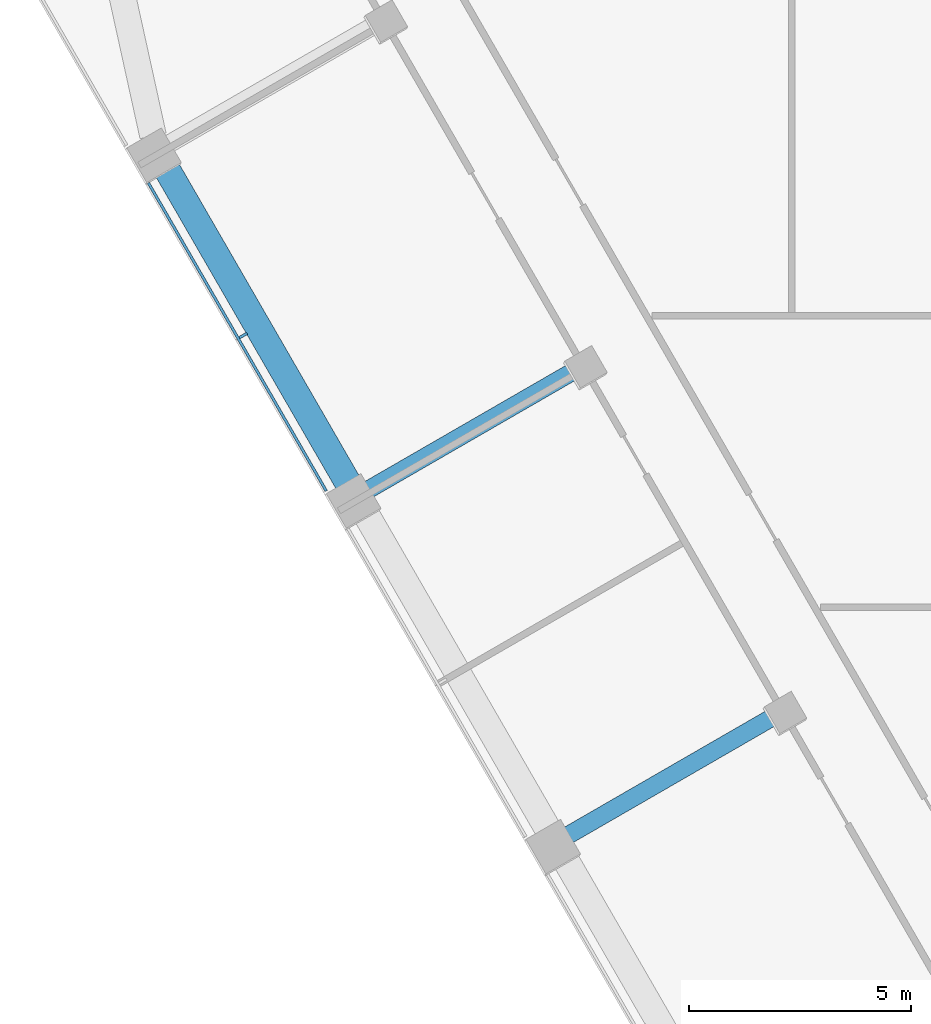
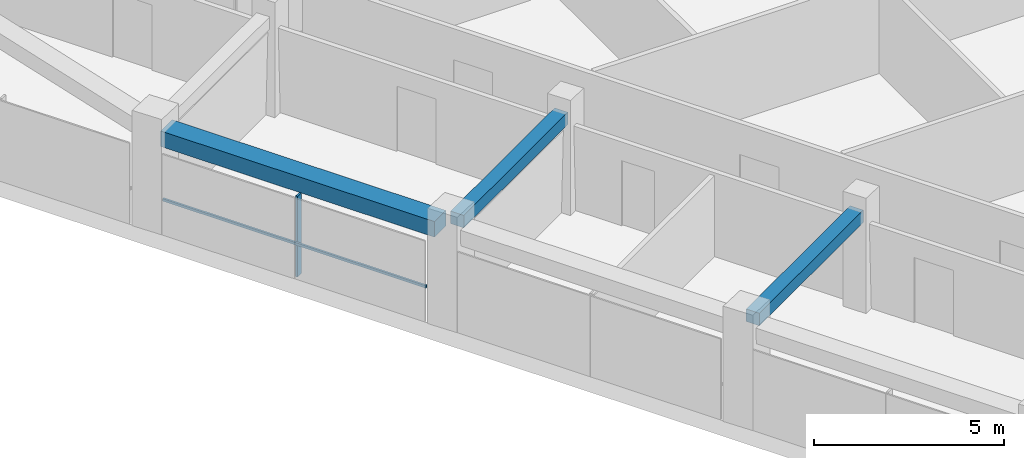
# One storey, part 3 of 13: 3 beams, 2 members, 1 element without a shape of its own.
"""IFC4 building model written with IfcOpenShell, lengths in metres."""

from ifc_helpers import new_model, si_unit, direction, frame, origin, origin_2d, place, context, subcontext, project, spatial, rectangle, extrude, material, layer, layer_set, material_profile, profile_set, type_object, element, aggregate, save


model = new_model("IFC4")

# Units and contexts
model_context = context("Model", 3, precision=1e-05, world=origin(), true_north=direction((0.0, 1.0)))
body_context = subcontext(model_context, "Body", "Model", "MODEL_VIEW")
ifc_project = project(units=[si_unit("LENGTHUNIT", "METRE"), si_unit("AREAUNIT", "SQUARE_METRE"), si_unit("VOLUMEUNIT", "CUBIC_METRE"), si_unit("PLANEANGLEUNIT", "RADIAN"), si_unit("MASSUNIT", "GRAM", prefix="KILO")], contexts=[model_context])

# Site, building, storey
site_placement = place(None, origin())
site = spatial("IfcSite", under=ifc_project, at=site_placement, CompositionType="ELEMENT")
building_placement = place(site_placement, origin())
building = spatial("IfcBuilding", under=site, at=building_placement, Name="Altiplano Prism Tower", CompositionType="ELEMENT")
storey_placement = place(building_placement, frame((0.0, 0.0, 59.39990234375)))
storey = spatial("IfcBuildingStorey", under=building, at=storey_placement, Name="L14", CompositionType="ELEMENT", Elevation=59.39990234375)

# Curtain wall, members
ifc_material_1 = material(Name="Aluminium and glass", Category="aluminium")
ifc_layer = layer(ifc_material_1, 0.303955078125)
ifc_layer_set = layer_set([ifc_layer], Name="Aluminium and glass")
curtain_wall_type = type_object("IfcCurtainWallType", Name="CW2 lounge-band unitised glazing", PredefinedType="NOTDEFINED", material=ifc_layer_set)
curtain_wall_placement = place(storey_placement, origin())
curtain_wall = element("IfcCurtainWall", 1, at=curtain_wall_placement, inside=storey, type_object=curtain_wall_type, Name="CW2 curtain wall south-west face L14", PredefinedType="NOTDEFINED")
ifc_material_2 = material(Name="Aluminium", Category="aluminium")
ifc_material_profile_1 = material_profile(ifc_material_2, rectangle(XDim=0.199951171875, YDim=0.06005859375, at=origin_2d()), Name="CW2 mullion 60 x 200")
ifc_profile_set_1 = profile_set([ifc_material_profile_1], Name="Aluminium")
member_type_1 = type_object("IfcMemberType", Name="CW2 mullion 60 x 200", PredefinedType="MULLION", material=ifc_profile_set_1)
member_1_placement = place(storey_placement, frame((63.2099609375, 82.64306640625, 0.0), z_axis=(0.0, 0.0, 1.0), x_axis=(0.866025407284, 0.499999993939, 0.0)))
member_1 = element("IfcMember", 2, at=member_1_placement, type_object=member_type_1, Name="CW2 mullion", PredefinedType="MULLION", context=body_context, shape_type="SweptSolid", body=[
    extrude(rectangle(XDim=0.199951171875, YDim=0.06005859375, at=origin_2d()), origin(), (0.0, 0.0, 1.0), 2.60009765625),
])
ifc_material_profile_2 = material_profile(ifc_material_2, rectangle(XDim=0.06005859375, YDim=0.080078125, at=origin_2d()), Name="CW2 transom 80 x 60")
ifc_profile_set_2 = profile_set([ifc_material_profile_2], Name="Aluminium")
member_type_2 = type_object("IfcMemberType", Name="CW2 transom 80 x 60", PredefinedType="USERDEFINED", material=ifc_profile_set_2)
member_2_placement = place(storey_placement, frame((61.07275390625, 86.0849609375, 1.10009765625), z_axis=(0.500012318566, -0.86601829154, 0.0), x_axis=(0.86601829154, 0.500012318566, 0.0)))
member_2 = element("IfcMember", 3, at=member_2_placement, type_object=member_type_2, Name="CW2 transom", ObjectType="TRANSOM", PredefinedType="USERDEFINED", context=body_context, shape_type="SweptSolid", body=[
    extrude(rectangle(XDim=0.06005859375, YDim=0.080078125, at=origin_2d()), origin(), (0.0, 0.0, 1.0), 8.019775390625),
])
aggregate(curtain_wall, [member_1, member_2])

# Beams
ifc_material_3 = material(Name="Concrete C60/75", Category="concrete")
ifc_material_profile_3 = material_profile(ifc_material_3, rectangle(XDim=0.60009765625, YDim=0.5, at=origin_2d()), Name="Edge beam 600x500")
ifc_profile_set_3 = profile_set([ifc_material_profile_3], Name="Concrete C60/75")
beam_type_1 = type_object("IfcBeamType", Name="Edge beam 600x500", PredefinedType="SPANDREL", material=ifc_profile_set_3)
beam_placement = place(storey_placement, frame((61.41796875, 86.51611328125, 2.85009765625), z_axis=(0.500014701701, -0.866016915587, 0.0), x_axis=(0.866016915587, 0.500014701701, 0.0)))
element("IfcBeam", 4, at=beam_placement, inside=storey, type_object=beam_type_1, Name="Edge beam P11-P12 L15", PredefinedType="SPANDREL", context=body_context, shape_type="SweptSolid", body=[
    extrude(rectangle(XDim=0.60009765625, YDim=0.5, at=origin_2d()), origin(), (0.0, 0.0, 1.0), 8.340087890625),
])
ifc_material_profile_4 = material_profile(ifc_material_3, rectangle(XDim=0.39990234375, YDim=0.39990234375, at=origin_2d()), Name="Tie beam 400x400")
ifc_profile_set_4 = profile_set([ifc_material_profile_4], Name="Concrete C60/75")
beam_type_2 = type_object("IfcBeamType", Name="Tie beam 400x400", PredefinedType="BEAM", material=ifc_profile_set_4)
for number, where, z_axis, x_axis, name in (
    (5, (70.79345703125, 81.91748046875, 2.900146484375), (-0.866042665983, -0.499970099802, 0.0), (0.499970099802, -0.866042665983, 0.0), "Tie beam I12 L15"),
    (6, (75.29345703125, 74.123291015625, 2.900146484375), (-0.866042665983, -0.499970099802, 0.0), (0.499970099802, -0.866042665983, 0.0), "Tie beam I13 L15"),
):
    element("IfcBeam", number, at=place(storey_placement, frame(where, z_axis=z_axis, x_axis=x_axis)), inside=storey, type_object=beam_type_2, Name=name, PredefinedType="BEAM", context=body_context, shape_type="SweptSolid", body=[
        extrude(rectangle(XDim=0.39990234375, YDim=0.39990234375, at=origin_2d()), origin(), (0.0, 0.0, 1.0), 5.489990234375),
    ])

save(model, "model.ifc")
